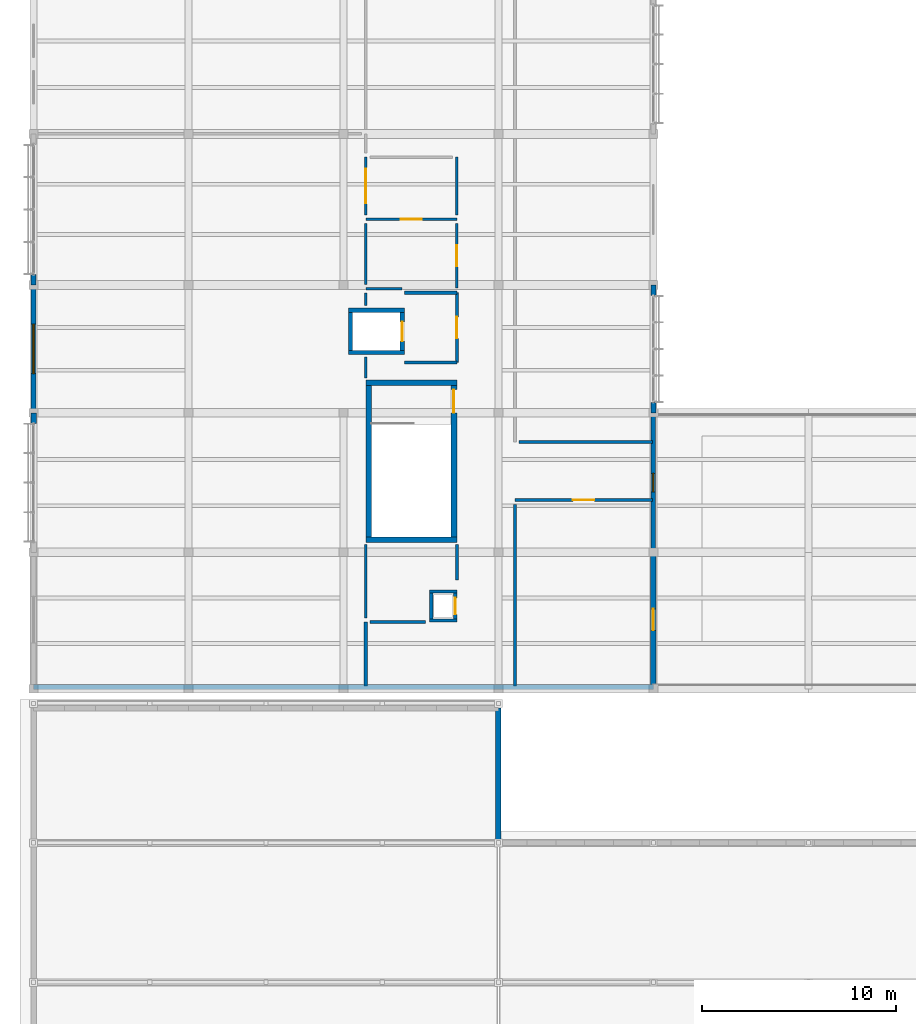
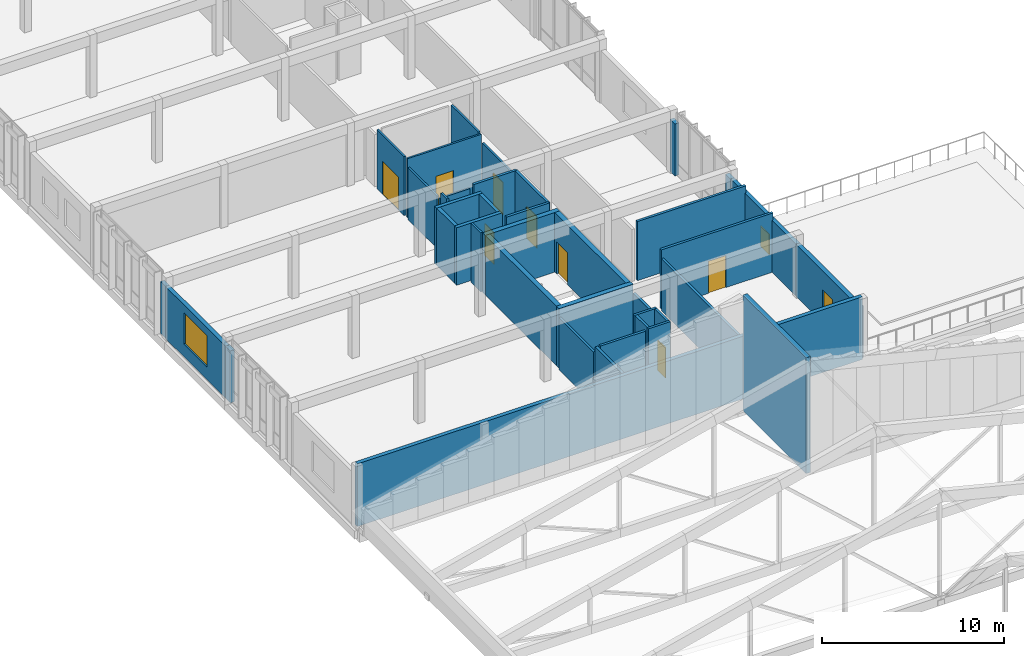
# One storey, part 89 of 107: 39 walls, 9 doors, 2 windows, 11 openings.
"""IFC4 building model written with IfcOpenShell, lengths in metres."""

from ifc_helpers import new_model, si_unit, direction, frame, frame_2d, origin, place, context, subcontext, project, spatial, rectangle, extrude, material, layer, layer_set, type_object, element, fill, save


model = new_model("IFC4")

# Units and contexts
model_context = context("Model", 3, precision=1e-05, world=origin(), true_north=direction((0.0, 1.0)))
body_context = subcontext(model_context, "Body", "Model", "MODEL_VIEW")
ifc_project = project(units=[si_unit("LENGTHUNIT", "METRE"), si_unit("AREAUNIT", "SQUARE_METRE"), si_unit("VOLUMEUNIT", "CUBIC_METRE"), si_unit("PLANEANGLEUNIT", "RADIAN"), si_unit("MASSUNIT", "GRAM", prefix="KILO")], contexts=[model_context])

# Site, building, storey
site_placement = place(None, origin())
site = spatial("IfcSite", under=ifc_project, at=site_placement, CompositionType="ELEMENT")
building_placement = place(site_placement, origin())
building = spatial("IfcBuilding", under=site, at=building_placement, Name="Chiffa Square Polytechnic", CompositionType="ELEMENT")
storey_placement = place(building_placement, frame((0.0, 0.0, 13.800048828125)))
storey = spatial("IfcBuildingStorey", under=building, at=storey_placement, Name="L03", CompositionType="ELEMENT", Elevation=13.800048828125)

# Walls
ifc_material_1 = material(Name="Concrete C40/50", Category="concrete")
ifc_layer_1 = layer(ifc_material_1, 0.300048828125, Name="Concrete C40/50")
ifc_layer_set_1 = layer_set([ifc_layer_1], Name="Concrete C40/50")
wall_type_1 = type_object("IfcWallType", Name="WL-CORE-300", PredefinedType="SHEAR", material=ifc_layer_set_1)
for number, where, z_axis, x_axis, name in (
    (1, (17.14990234375, 44.449951171875, 0.0), (0.0, 0.0, 1.0), (1.0, 0.0, 0.0), "Core or enclosure wall WC-CORE-V6A-L03-SOUTH"),
    (2, (17.14990234375, 52.550048828125, 0.0), (0.0, 0.0, 1.0), (1.0, 0.0, 0.0), "Core or enclosure wall WC-CORE-V6A-L03-NORTH"),
):
    element("IfcWall", number, at=place(storey_placement, frame(where, z_axis=z_axis, x_axis=x_axis)), inside=storey, type_object=wall_type_1, Name=name, PredefinedType="SHEAR", context=body_context, shape_type="SweptSolid", body=[
        extrude(rectangle(XDim=4.7001953125, YDim=0.300048828125, at=frame_2d((2.35009765625, 0.0))), origin(), (0.0, 0.0, 1.0), 4.0),
    ])
wall_1_placement = place(storey_placement, frame((17.300048828125, 44.60009765625, 0.0), z_axis=(0.0, 0.0, 1.0), x_axis=(0.0, 1.0, 0.0)))
element("IfcWall", 3, at=wall_1_placement, inside=storey, type_object=wall_type_1, Name="Core or enclosure wall WC-CORE-V6A-L03-WEST", PredefinedType="SHEAR", context=body_context, shape_type="SweptSolid", body=[
    extrude(rectangle(XDim=7.7998046875, YDim=0.300048828125, at=frame_2d((3.89990234375, 0.0))), origin(), (0.0, 0.0, 1.0), 4.0),
])

# Wall, opening, door
wall_2_placement = place(storey_placement, frame((21.699951171875, 44.60009765625, 0.0), z_axis=(0.0, 0.0, 1.0), x_axis=(0.0, 1.0, 0.0)))
wall_2 = element("IfcWall", 4, at=wall_2_placement, inside=storey, type_object=wall_type_1, Name="Core or enclosure wall WC-CORE-V6A-L03-EAST", PredefinedType="SHEAR", context=body_context, shape_type="SweptSolid", body=[
    extrude(rectangle(XDim=7.7998046875, YDim=0.300048828125, at=frame_2d((3.89990234375, 0.0))), origin(), (0.0, 0.0, 1.0), 4.0),
])
opening_1_placement = place(wall_2_placement, frame((6.39990234375, 0.0, 0.0)))
opening_1 = element("IfcOpeningElement", 5, at=opening_1_placement, cuts=wall_2, Name="Opening DS-L03-050", PredefinedType="OPENING", context=body_context, shape_type="SweptSolid", body=[
    extrude(rectangle(XDim=1.199951171875, YDim=2.14990234375, at=frame_2d((0.60009765625, 1.074951171875))), frame((0.0, 0.16015625, 0.0), z_axis=(0.0, -1.0, 0.0), x_axis=(1.0, 0.0, 0.0)), (0.0, 0.0, 1.0), 0.320068359375),
])
ifc_material_2 = material(Name="Fire-rated painted steel leaf", Category="steel")
door_type_1 = type_object("IfcDoorType", Name="DR-STAIR-1200", OperationType="NOTDEFINED", PredefinedType="DOOR", material=ifc_material_2)
door_1_placement = place(opening_1_placement, origin())
door_1 = element("IfcDoor", 6, at=door_1_placement, inside=storey, type_object=door_type_1, Name="Enclosure door DS-L03-050", OperationType="SINGLE_SWING_RIGHT", OverallHeight=2.14990234375, OverallWidth=1.199951171875, PredefinedType="DOOR", context=body_context, shape_type="SweptSolid", body=[
    extrude(rectangle(XDim=1.199951171875, YDim=2.14990234375, at=frame_2d((0.60009765625, 1.074951171875))), frame((0.0, 0.02490234375, 0.0), z_axis=(0.0, -1.0, 0.0), x_axis=(1.0, 0.0, 0.0)), (0.0, 0.0, 1.0), 0.050048828125),
])
fill(opening_1, door_1)

# Wall, opening, window
ifc_material_3 = material(Name="Precast concrete C40/50", Category="concrete")
ifc_layer_2 = layer(ifc_material_3, 0.239990234375, Name="Precast concrete C40/50")
ifc_layer_set_2 = layer_set([ifc_layer_2], Name="Precast concrete C40/50")
wall_type_2 = type_object("IfcWallType", Name="WL-EXT-PC240", PredefinedType="SOLIDWALL", material=ifc_layer_set_2)
wall_3_placement = place(storey_placement, frame((32.0, 43.800048828125, 0.0), z_axis=(0.0, 0.0, 1.0), x_axis=(0.0, 1.0, 0.0)))
wall_3 = element("IfcWall", 7, at=wall_3_placement, inside=storey, type_object=wall_type_2, Name="Exterior wall WE-V6-L03-0451", PredefinedType="SOLIDWALL", context=body_context, shape_type="SweptSolid", body=[
    extrude(rectangle(XDim=7.199951171875, YDim=0.239990234375, at=frame_2d((3.60009765625, 0.0))), origin(), (0.0, 0.0, 1.0), 3.48486328125),
])
opening_2_placement = place(wall_3_placement, frame((3.125, 0.0, 0.85009765625)))
opening_2 = element("IfcOpeningElement", 8, at=opening_2_placement, cuts=wall_3, Name="Opening W-21", PredefinedType="OPENING", context=body_context, shape_type="SweptSolid", body=[
    extrude(rectangle(XDim=0.949951171875, YDim=1.35009765625, at=frame_2d((0.47509765625, 0.675048828125))), frame((0.0, 0.1298828125, 0.0), z_axis=(0.0, -1.0, 0.0), x_axis=(1.0, 0.0, 0.0)), (0.0, 0.0, 1.0), 0.260009765625),
])
ifc_material_4 = material(Name="Double glazing in thermally broken aluminium frame", Category="aluminium")
window_type_1 = type_object("IfcWindowType", Name="WIN-OFF-0950X1350", PartitioningType="DOUBLE_PANEL_VERTICAL", PredefinedType="WINDOW", material=ifc_material_4)
window_1_placement = place(opening_2_placement, origin())
window_1 = element("IfcWindow", 9, at=window_1_placement, inside=storey, type_object=window_type_1, Name="Facade window WN-L03-0301", OverallHeight=1.35009765625, OverallWidth=0.949951171875, PartitioningType="DOUBLE_PANEL_VERTICAL", PredefinedType="WINDOW", context=body_context, shape_type="SweptSolid", body=[
    extrude(rectangle(XDim=0.949951171875, YDim=1.35009765625, at=frame_2d((0.47509765625, 0.675048828125))), frame((0.0, 0.030029296875, 0.0), z_axis=(0.0, -1.0, 0.0), x_axis=(1.0, 0.0, 0.0)), (0.0, 0.0, 1.0), 0.06005859375),
])
fill(opening_2, window_1)

# Walls
wall_4_placement = place(storey_placement, frame((0.0, 58.139892578125, 0.0), z_axis=(0.0, 0.0, 1.0), x_axis=(0.0, -1.0, 0.0)))
element("IfcWall", 10, at=wall_4_placement, inside=storey, type_object=wall_type_2, Name="Facade column pier V6-L03-0463R", PredefinedType="SOLIDWALL", context=body_context, shape_type="SweptSolid", body=[
    extrude(rectangle(XDim=0.539794921875, YDim=0.239990234375, at=frame_2d((0.27001953125, 0.0))), origin(), (0.0, 0.0, 1.0), 3.48486328125),
])
ifc_layer_3 = layer(ifc_material_3, 0.260009765625, Name="Precast concrete C40/50")
ifc_layer_set_3 = layer_set([ifc_layer_3], Name="Precast concrete C40/50")
wall_type_3 = type_object("IfcWallType", Name="WL-EXT-PC260", PredefinedType="SOLIDWALL", material=ifc_layer_set_3)
for number, where, z_axis, x_axis, name in (
    (11, (32.0, 51.0, 0.0), (0.0, 0.0, 1.0), (0.0, 1.0, 0.0), "Facade column pier V6-L03-0452L"),
    (12, (32.0, 57.06005859375, 0.0), (0.0, 0.0, 1.0), (0.0, 1.0, 0.0), "Facade column pier V6-L03-0452R"),
):
    element("IfcWall", number, at=place(storey_placement, frame(where, z_axis=z_axis, x_axis=x_axis)), inside=storey, type_object=wall_type_3, Name=name, PredefinedType="SOLIDWALL", context=body_context, shape_type="SweptSolid", body=[
        extrude(rectangle(XDim=0.5400390625, YDim=0.260009765625, at=frame_2d((0.27001953125, 0.0))), origin(), (0.0, 0.0, 1.0), 3.48486328125),
    ])

# Wall, opening, window
wall_5_placement = place(storey_placement, frame((0.0, 57.60009765625, 0.0), z_axis=(0.0, 0.0, 1.0), x_axis=(0.0, -1.0, 0.0)))
wall_5 = element("IfcWall", 13, at=wall_5_placement, inside=storey, type_object=wall_type_3, Name="Exterior wall WE-V6-L03-0464", PredefinedType="SOLIDWALL", context=body_context, shape_type="SweptSolid", body=[
    extrude(rectangle(XDim=6.60009765625, YDim=0.260009765625, at=frame_2d((3.300048828125, 0.0))), origin(), (0.0, 0.0, 1.0), 3.48486328125),
])
opening_3_placement = place(wall_5_placement, frame((2.02490234375, 0.0, 0.85009765625)))
opening_3 = element("IfcOpeningElement", 14, at=opening_3_placement, cuts=wall_5, Name="Opening W-09", PredefinedType="OPENING", context=body_context, shape_type="SweptSolid", body=[
    extrude(rectangle(XDim=2.550048828125, YDim=2.10009765625, at=frame_2d((1.27490234375, 1.050048828125))), frame((0.0, 0.14013671875, 0.0), z_axis=(0.0, -1.0, 0.0), x_axis=(1.0, 0.0, 0.0)), (0.0, 0.0, 1.0), 0.280029296875),
])
window_type_2 = type_object("IfcWindowType", Name="WIN-STD-2550X2100", PartitioningType="DOUBLE_PANEL_VERTICAL", PredefinedType="WINDOW", material=ifc_material_4)
window_2_placement = place(opening_3_placement, origin())
window_2 = element("IfcWindow", 15, at=window_2_placement, inside=storey, type_object=window_type_2, Name="Facade window WN-L03-0309", OverallHeight=2.10009765625, OverallWidth=2.550048828125, PartitioningType="DOUBLE_PANEL_VERTICAL", PredefinedType="WINDOW", context=body_context, shape_type="SweptSolid", body=[
    extrude(rectangle(XDim=2.550048828125, YDim=2.10009765625, at=frame_2d((1.27490234375, 1.050048828125))), frame((0.0, 0.030029296875, 0.0), z_axis=(0.0, -1.0, 0.0), x_axis=(1.0, 0.0, 0.0)), (0.0, 0.0, 1.0), 0.06005859375),
])
fill(opening_3, window_2)

# Wall, opening, door
ifc_layer_4 = layer(ifc_material_3, 0.280029296875, Name="Precast concrete C40/50")
ifc_layer_set_4 = layer_set([ifc_layer_4], Name="Precast concrete C40/50")
wall_type_4 = type_object("IfcWallType", Name="WL-EXT-PC280", PredefinedType="SOLIDWALL", material=ifc_layer_set_4)
wall_6_placement = place(storey_placement, frame((32.0, 36.85009765625, 0.0), z_axis=(0.0, 0.0, 1.0), x_axis=(0.0, 1.0, 0.0)))
wall_6 = element("IfcWall", 16, at=wall_6_placement, inside=storey, type_object=wall_type_4, Name="Exterior wall WE-V6-L03-0450", PredefinedType="SOLIDWALL", context=body_context, shape_type="SweptSolid", body=[
    extrude(rectangle(XDim=6.949951171875, YDim=0.280029296875, at=frame_2d((3.47509765625, 0.0))), origin(), (0.0, 0.0, 1.0), 3.48486328125),
])
opening_4_placement = place(wall_6_placement, frame((2.925048828125, 0.0, 0.0)))
opening_4 = element("IfcOpeningElement", 17, at=opening_4_placement, cuts=wall_6, Name="Opening DT-L03-074", PredefinedType="OPENING", context=body_context, shape_type="SweptSolid", body=[
    extrude(rectangle(XDim=1.10009765625, YDim=2.199951171875, at=frame_2d((0.550048828125, 1.10009765625))), frame((0.0, 0.14990234375, 0.0), z_axis=(0.0, -1.0, 0.0), x_axis=(1.0, 0.0, 0.0)), (0.0, 0.0, 1.0), 0.300048828125),
])
ifc_material_5 = material(Name="Thermally broken aluminium glazed door", Category="aluminium")
door_type_2 = type_object("IfcDoorType", Name="DR-TERR-SGL-1100", OperationType="NOTDEFINED", PredefinedType="DOOR", material=ifc_material_5)
door_2_placement = place(opening_4_placement, origin())
door_2 = element("IfcDoor", 18, at=door_2_placement, inside=storey, type_object=door_type_2, Name="Exterior door DT-L03-074", OperationType="SINGLE_SWING_RIGHT", OverallHeight=2.199951171875, OverallWidth=1.10009765625, PredefinedType="DOOR", context=body_context, shape_type="SweptSolid", body=[
    extrude(rectangle(XDim=1.10009765625, YDim=2.199951171875, at=frame_2d((0.550048828125, 1.10009765625))), frame((0.0, 0.02490234375, 0.0), z_axis=(0.0, -1.0, 0.0), x_axis=(1.0, 0.0, 0.0)), (0.0, 0.0, 1.0), 0.050048828125),
])
fill(opening_4, door_2)

# Walls
wall_7_placement = place(storey_placement, frame((0.0, 51.0, 0.0), z_axis=(0.0, 0.0, 1.0), x_axis=(0.0, -1.0, 0.0)))
element("IfcWall", 19, at=wall_7_placement, inside=storey, type_object=wall_type_4, Name="Facade column pier V6-L03-0465L", PredefinedType="SOLIDWALL", context=body_context, shape_type="SweptSolid", body=[
    extrude(rectangle(XDim=0.5400390625, YDim=0.280029296875, at=frame_2d((0.27001953125, 0.0))), origin(), (0.0, 0.0, 1.0), 3.48486328125),
])
wall_8_placement = place(storey_placement, frame((24.0, 28.800048828125, 0.0), z_axis=(0.0, 0.0, 1.0), x_axis=(0.0, 1.0, 0.0)))
element("IfcWall", 20, at=wall_8_placement, inside=storey, type_object=wall_type_4, Name="Lecture pavilion north-east ridge step wall WE-V3-L03-RIDGE-NE", PredefinedType="SOLIDWALL", context=body_context, shape_type="SweptSolid", body=[
    extrude(rectangle(XDim=6.949951171875, YDim=0.280029296875, at=frame_2d((3.47509765625, 0.0))), origin(), (0.0, 0.0, 1.0), 7.763916015625),
])
ifc_material_6 = material(Name="Gypsum board on steel stud", Category="steel")
ifc_layer_5 = layer(ifc_material_6, 0.125, Name="Gypsum board on steel stud")
ifc_layer_set_5 = layer_set([ifc_layer_5], Name="Gypsum board on steel stud")
wall_type_5 = type_object("IfcWallType", Name="WL-PART-125", PredefinedType="PARTITIONING", material=ifc_layer_set_5)
wall_9_placement = place(storey_placement, frame((17.14990234375, 52.7900390625, 0.0), z_axis=(0.0, 0.0, 1.0), x_axis=(0.0, 1.0, 0.0)))
element("IfcWall", 21, at=wall_9_placement, inside=storey, type_object=wall_type_5, Name="Interior partition WP-V6-L03-0575", PredefinedType="PARTITIONING", context=body_context, shape_type="SweptSolid", body=[
    extrude(rectangle(XDim=1.080078125, YDim=0.125, at=frame_2d((0.5400390625, 0.0))), origin(), (0.0, 0.0, 1.0), 3.9599609375),
])
ifc_layer_6 = layer(ifc_material_6, 0.135009765625, Name="Gypsum board on steel stud")
ifc_layer_set_6 = layer_set([ifc_layer_6], Name="Gypsum board on steel stud")
wall_type_6 = type_object("IfcWallType", Name="WL-PART-135", PredefinedType="PARTITIONING", material=ifc_layer_set_6)
wall_10_placement = place(storey_placement, frame((17.14990234375, 56.530029296875, 0.0), z_axis=(0.0, 0.0, 1.0), x_axis=(0.0, 1.0, 0.0)))
element("IfcWall", 22, at=wall_10_placement, inside=storey, type_object=wall_type_6, Name="Interior partition WP-V6-L03-0574", PredefinedType="PARTITIONING", context=body_context, shape_type="SweptSolid", body=[
    extrude(rectangle(XDim=0.64990234375, YDim=0.135009765625, at=frame_2d((0.324951171875, 0.0))), origin(), (0.0, 0.0, 1.0), 3.9599609375),
])
ifc_layer_7 = layer(ifc_material_6, 0.14501953125, Name="Gypsum board on steel stud")
ifc_layer_set_7 = layer_set([ifc_layer_7], Name="Gypsum board on steel stud")
wall_type_7 = type_object("IfcWallType", Name="WL-PART-145", PredefinedType="PARTITIONING", material=ifc_layer_set_7)
wall_11_placement = place(storey_placement, frame((17.14990234375, 40.419921875, 0.0), z_axis=(0.0, 0.0, 1.0), x_axis=(0.0, 1.0, 0.0)))
element("IfcWall", 23, at=wall_11_placement, inside=storey, type_object=wall_type_7, Name="Interior partition WP-V6-L03-0576", PredefinedType="PARTITIONING", context=body_context, shape_type="SweptSolid", body=[
    extrude(rectangle(XDim=3.7900390625, YDim=0.14501953125, at=frame_2d((1.89501953125, 0.0))), origin(), (0.0, 0.0, 1.0), 3.48486328125),
])
ifc_material_7 = material(Name="Gypsum board on acoustic steel stud", Category="steel")
ifc_layer_8 = layer(ifc_material_7, 0.159912109375, Name="Gypsum board on acoustic steel stud")
ifc_layer_set_8 = layer_set([ifc_layer_8], Name="Gypsum board on acoustic steel stud")
wall_type_8 = type_object("IfcWallType", Name="WL-PART-EI60-160", PredefinedType="PARTITIONING", material=ifc_layer_set_8)
for number, where, z_axis, x_axis, name in (
    (24, (20.449951171875, 40.280029296875, 0.0), (0.0, 0.0, 1.0), (1.0, 0.0, 0.0), "Core or enclosure wall WP-RSR-V6-S-L03-SOUTH"),
    (25, (20.449951171875, 41.77001953125, 0.0), (0.0, 0.0, 1.0), (1.0, 0.0, 0.0), "Core or enclosure wall WP-RSR-V6-S-L03-NORTH"),
):
    element("IfcWall", number, at=place(storey_placement, frame(where, z_axis=z_axis, x_axis=x_axis)), inside=storey, type_object=wall_type_8, Name=name, PredefinedType="PARTITIONING", context=body_context, shape_type="SweptSolid", body=[
        extrude(rectangle(XDim=1.400146484375, YDim=0.159912109375, at=frame_2d((0.7001953125, 0.0))), origin(), (0.0, 0.0, 1.0), 3.97998046875),
    ])
wall_12_placement = place(storey_placement, frame((20.530029296875, 40.360107421875, 0.0), z_axis=(0.0, 0.0, 1.0), x_axis=(0.0, 1.0, 0.0)))
element("IfcWall", 26, at=wall_12_placement, inside=storey, type_object=wall_type_8, Name="Core or enclosure wall WP-RSR-V6-S-L03-WEST", PredefinedType="PARTITIONING", context=body_context, shape_type="SweptSolid", body=[
    extrude(rectangle(XDim=1.329833984375, YDim=0.159912109375, at=frame_2d((0.6650390625, 0.0))), origin(), (0.0, 0.0, 1.0), 3.97998046875),
])

# Wall, opening, door
wall_13_placement = place(storey_placement, frame((21.77001953125, 40.360107421875, 0.0), z_axis=(0.0, 0.0, 1.0), x_axis=(0.0, 1.0, 0.0)))
wall_13 = element("IfcWall", 27, at=wall_13_placement, inside=storey, type_object=wall_type_8, Name="Core or enclosure wall WP-RSR-V6-S-L03-EAST", PredefinedType="PARTITIONING", context=body_context, shape_type="SweptSolid", body=[
    extrude(rectangle(XDim=1.329833984375, YDim=0.159912109375, at=frame_2d((0.6650390625, 0.0))), origin(), (0.0, 0.0, 1.0), 3.97998046875),
])
opening_5_placement = place(wall_13_placement, frame((0.239990234375, 0.0, 0.0)))
opening_5 = element("IfcOpeningElement", 28, at=opening_5_placement, cuts=wall_13, Name="Opening DI-L03-R21", PredefinedType="OPENING", context=body_context, shape_type="SweptSolid", body=[
    extrude(rectangle(XDim=0.85009765625, YDim=2.02001953125, at=frame_2d((0.425048828125, 1.010009765625))), frame((0.0, 0.08984375, 0.0), z_axis=(0.0, -1.0, 0.0), x_axis=(1.0, 0.0, 0.0)), (0.0, 0.0, 1.0), 0.179931640625),
])
ifc_material_8 = material(Name="Fire-rated steel riser access door", Category="steel")
door_type_3 = type_object("IfcDoorType", Name="DR-RISER-850", OperationType="NOTDEFINED", PredefinedType="DOOR", material=ifc_material_8)
door_3_placement = place(opening_5_placement, origin())
door_3 = element("IfcDoor", 29, at=door_3_placement, inside=storey, type_object=door_type_3, Name="Enclosure door DI-L03-R21", OperationType="SINGLE_SWING_LEFT", OverallHeight=2.02001953125, OverallWidth=0.85009765625, PredefinedType="DOOR", context=body_context, shape_type="SweptSolid", body=[
    extrude(rectangle(XDim=0.85009765625, YDim=2.02001953125, at=frame_2d((0.425048828125, 1.010009765625))), frame((0.0, 0.02490234375, 0.0), z_axis=(0.0, -1.0, 0.0), x_axis=(1.0, 0.0, 0.0)), (0.0, 0.0, 1.0), 0.050048828125),
])
fill(opening_5, door_3)

# Walls
for number, where, z_axis, x_axis, name in (
    (30, (19.14990234375, 53.60009765625, 0.0), (0.0, 0.0, 1.0), (1.0, 0.0, 0.0), "Lift lobby rated enclosure WP-LOB-LP-V6A-L03-SOUTH"),
    (31, (19.14990234375, 57.199951171875, 0.0), (0.0, 0.0, 1.0), (1.0, 0.0, 0.0), "Lift lobby rated enclosure WP-LOB-LP-V6A-L03-NORTH"),
):
    element("IfcWall", number, at=place(storey_placement, frame(where, z_axis=z_axis, x_axis=x_axis)), inside=storey, type_object=wall_type_8, Name=name, PredefinedType="PARTITIONING", context=body_context, shape_type="SweptSolid", body=[
        extrude(rectangle(XDim=2.7001953125, YDim=0.159912109375, at=frame_2d((1.35009765625, 0.0))), origin(), (0.0, 0.0, 1.0), 3.849853515625),
    ])

# Wall, opening, door
wall_14_placement = place(storey_placement, frame((21.85009765625, 53.60009765625, 0.0), z_axis=(0.0, 0.0, 1.0), x_axis=(0.0, 1.0, 0.0)))
wall_14 = element("IfcWall", 32, at=wall_14_placement, inside=storey, type_object=wall_type_8, Name="Lift lobby rated enclosure WP-LOB-LP-V6A-L03-EAST", PredefinedType="PARTITIONING", context=body_context, shape_type="SweptSolid", body=[
    extrude(rectangle(XDim=3.599853515625, YDim=0.159912109375, at=frame_2d((1.7998046875, 0.0))), origin(), (0.0, 0.0, 1.0), 3.849853515625),
])
opening_6_placement = place(wall_14_placement, frame((1.25, 0.0, 0.0)))
opening_6 = element("IfcOpeningElement", 33, at=opening_6_placement, cuts=wall_14, Name="Opening DI-L03-047", PredefinedType="OPENING", context=body_context, shape_type="SweptSolid", body=[
    extrude(rectangle(XDim=1.10009765625, YDim=2.14990234375, at=frame_2d((0.550048828125, 1.074951171875))), frame((0.0, 0.08984375, 0.0), z_axis=(0.0, -1.0, 0.0), x_axis=(1.0, 0.0, 0.0)), (0.0, 0.0, 1.0), 0.179931640625),
])
ifc_material_9 = material(Name="Solid core ash veneer door")
door_type_4 = type_object("IfcDoorType", Name="DR-INT-1100", OperationType="NOTDEFINED", PredefinedType="DOOR", material=ifc_material_9)
door_4_placement = place(opening_6_placement, origin())
door_4 = element("IfcDoor", 34, at=door_4_placement, inside=storey, type_object=door_type_4, Name="Lift lobby fire door DI-L03-047", OperationType="SINGLE_SWING_RIGHT", OverallHeight=2.14990234375, OverallWidth=1.10009765625, PredefinedType="DOOR", context=body_context, shape_type="SweptSolid", body=[
    extrude(rectangle(XDim=1.10009765625, YDim=2.14990234375, at=frame_2d((0.550048828125, 1.074951171875))), frame((0.0, 0.02490234375, 0.0), z_axis=(0.0, -1.0, 0.0), x_axis=(1.0, 0.0, 0.0)), (0.0, 0.0, 1.0), 0.050048828125),
])
fill(opening_6, door_4)

wall_15_placement = place(storey_placement, frame((24.85009765625, 46.5, 0.0), z_axis=(0.0, 0.0, 1.0), x_axis=(1.0, 0.0, 0.0)))
wall_15 = element("IfcWall", 35, at=wall_15_placement, inside=storey, type_object=wall_type_8, Name="Interior partition WP-V6-L03-0530", PredefinedType="PARTITIONING", context=body_context, shape_type="SweptSolid", body=[
    extrude(rectangle(XDim=7.094970703125, YDim=0.159912109375, at=frame_2d((3.54736328125, 0.0))), origin(), (0.0, 0.0, 1.0), 3.9599609375),
])
opening_7_placement = place(wall_15_placement, frame((2.9970703125, 0.0, 0.0)))
opening_7 = element("IfcOpeningElement", 36, at=opening_7_placement, cuts=wall_15, Name="Opening DI-L03-198", PredefinedType="OPENING", context=body_context, shape_type="SweptSolid", body=[
    extrude(rectangle(XDim=1.10009765625, YDim=2.14990234375, at=frame_2d((0.550048828125, 1.074951171875))), frame((0.0, 0.08984375, 0.0), z_axis=(0.0, -1.0, 0.0), x_axis=(1.0, 0.0, 0.0)), (0.0, 0.0, 1.0), 0.179931640625),
])
door_5_placement = place(opening_7_placement, origin())
door_5 = element("IfcDoor", 37, at=door_5_placement, inside=storey, type_object=door_type_4, Name="Interior room door DI-L03-198", OperationType="SINGLE_SWING_RIGHT", OverallHeight=2.14990234375, OverallWidth=1.10009765625, PredefinedType="DOOR", context=body_context, shape_type="SweptSolid", body=[
    extrude(rectangle(XDim=1.10009765625, YDim=2.14990234375, at=frame_2d((0.550048828125, 1.074951171875))), frame((0.0, 0.02490234375, 0.0), z_axis=(0.0, -1.0, 0.0), x_axis=(1.0, 0.0, 0.0)), (0.0, 0.0, 1.0), 0.050048828125),
])
fill(opening_7, door_5)

# Walls
wall_16_placement = place(storey_placement, frame((24.85009765625, 36.905029296875, 0.0), z_axis=(0.0, 0.0, 1.0), x_axis=(0.0, 1.0, 0.0)))
element("IfcWall", 38, at=wall_16_placement, inside=storey, type_object=wall_type_8, Name="Interior partition WP-V6-L03-0531", PredefinedType="PARTITIONING", context=body_context, shape_type="SweptSolid", body=[
    extrude(rectangle(XDim=9.375, YDim=0.159912109375, at=frame_2d((4.6875, 0.0))), origin(), (0.0, 0.0, 1.0), 3.48486328125),
])
wall_17_placement = place(storey_placement, frame((25.070068359375, 49.5, 0.0), z_axis=(0.0, 0.0, 1.0), x_axis=(1.0, 0.0, 0.0)))
element("IfcWall", 39, at=wall_17_placement, inside=storey, type_object=wall_type_8, Name="Interior partition WP-V6-L03-0561", PredefinedType="PARTITIONING", context=body_context, shape_type="SweptSolid", body=[
    extrude(rectangle(XDim=6.875, YDim=0.159912109375, at=frame_2d((3.4375, 0.0))), origin(), (0.0, 0.0, 1.0), 3.9599609375),
])
wall_18_placement = place(storey_placement, frame((17.14990234375, 36.905029296875, 0.0), z_axis=(0.0, 0.0, 1.0), x_axis=(0.0, 1.0, 0.0)))
element("IfcWall", 40, at=wall_18_placement, inside=storey, type_object=wall_type_8, Name="Interior partition WP-V6-L03-0562", PredefinedType="PARTITIONING", context=body_context, shape_type="SweptSolid", body=[
    extrude(rectangle(XDim=3.294921875, YDim=0.159912109375, at=frame_2d((1.6474609375, 0.0))), origin(), (0.0, 0.0, 1.0), 3.9599609375),
])
wall_19_placement = place(storey_placement, frame((21.85009765625, 42.37109375, 0.0), z_axis=(0.0, 0.0, 1.0), x_axis=(0.0, 1.0, 0.0)))
element("IfcWall", 41, at=wall_19_placement, inside=storey, type_object=wall_type_8, Name="Interior partition WP-V6-L03-0596", PredefinedType="PARTITIONING", context=body_context, shape_type="SweptSolid", body=[
    extrude(rectangle(XDim=1.8388671875, YDim=0.159912109375, at=frame_2d((0.91943359375, 0.0))), origin(), (0.0, 0.0, 1.0), 3.48486328125),
])
wall_20_placement = place(storey_placement, frame((17.3701171875, 40.199951171875, 0.0), z_axis=(0.0, 0.0, 1.0), x_axis=(1.0, 0.0, 0.0)))
element("IfcWall", 42, at=wall_20_placement, inside=storey, type_object=wall_type_8, Name="Interior partition WP-V6-L03-0599", PredefinedType="PARTITIONING", context=body_context, shape_type="SweptSolid", body=[
    extrude(rectangle(XDim=2.85400390625, YDim=0.159912109375, at=frame_2d((1.427001953125, 0.0))), origin(), (0.0, 0.0, 1.0), 3.9599609375),
])

# Wall, opening, door
ifc_material_10 = material(Name="Moisture-resistant board partition")
ifc_layer_9 = layer(ifc_material_10, 0.1201171875, Name="Moisture-resistant board partition")
ifc_layer_set_9 = layer_set([ifc_layer_9], Name="Moisture-resistant board partition")
wall_type_9 = type_object("IfcWallType", Name="WL-PART-WC-120", PredefinedType="PARTITIONING", material=ifc_layer_set_9)
wall_21_placement = place(storey_placement, frame((17.14990234375, 61.0, 0.0), z_axis=(0.0, 0.0, 1.0), x_axis=(1.0, 0.0, 0.0)))
wall_21 = element("IfcWall", 43, at=wall_21_placement, inside=storey, type_object=wall_type_9, Name="Interior partition WP-V6-L03-0518", PredefinedType="PARTITIONING", context=body_context, shape_type="SweptSolid", body=[
    extrude(rectangle(XDim=4.7001953125, YDim=0.1201171875, at=frame_2d((2.35009765625, 0.0))), origin(), (0.0, 0.0, 1.0), 3.9599609375),
])
opening_8_placement = place(wall_21_placement, frame((1.800048828125, 0.0, 0.0)))
opening_8 = element("IfcOpeningElement", 44, at=opening_8_placement, cuts=wall_21, Name="Opening DI-L03-193", PredefinedType="OPENING", context=body_context, shape_type="SweptSolid", body=[
    extrude(rectangle(XDim=1.10009765625, YDim=2.14990234375, at=frame_2d((0.550048828125, 1.074951171875))), frame((0.0, 0.070068359375, 0.0), z_axis=(0.0, -1.0, 0.0), x_axis=(1.0, 0.0, 0.0)), (0.0, 0.0, 1.0), 0.14013671875),
])
door_6_placement = place(opening_8_placement, origin())
door_6 = element("IfcDoor", 45, at=door_6_placement, inside=storey, type_object=door_type_4, Name="Interior room door DI-L03-193", OperationType="SINGLE_SWING_RIGHT", OverallHeight=2.14990234375, OverallWidth=1.10009765625, PredefinedType="DOOR", context=body_context, shape_type="SweptSolid", body=[
    extrude(rectangle(XDim=1.10009765625, YDim=2.14990234375, at=frame_2d((0.550048828125, 1.074951171875))), frame((0.0, 0.02490234375, 0.0), z_axis=(0.0, -1.0, 0.0), x_axis=(1.0, 0.0, 0.0)), (0.0, 0.0, 1.0), 0.050048828125),
])
fill(opening_8, door_6)

# Wall
wall_22_placement = place(storey_placement, frame((21.85009765625, 61.219970703125, 0.0), z_axis=(0.0, 0.0, 1.0), x_axis=(0.0, 1.0, 0.0)))
element("IfcWall", 46, at=wall_22_placement, inside=storey, type_object=wall_type_9, Name="Interior partition WP-V6-L03-0519", PredefinedType="PARTITIONING", context=body_context, shape_type="SweptSolid", body=[
    extrude(rectangle(XDim=2.97998046875, YDim=0.1201171875, at=frame_2d((1.489990234375, 0.0))), origin(), (0.0, 0.0, 1.0), 3.9599609375),
])

# Wall, opening, door
wall_23_placement = place(storey_placement, frame((17.14990234375, 61.219970703125, 0.0), z_axis=(0.0, 0.0, 1.0), x_axis=(0.0, 1.0, 0.0)))
wall_23 = element("IfcWall", 47, at=wall_23_placement, inside=storey, type_object=wall_type_9, Name="Interior partition WP-V6-L03-0520", PredefinedType="PARTITIONING", context=body_context, shape_type="SweptSolid", body=[
    extrude(rectangle(XDim=2.97998046875, YDim=0.1201171875, at=frame_2d((1.489990234375, 0.0))), origin(), (0.0, 0.0, 1.0), 3.9599609375),
])
opening_9_placement = place(wall_23_placement, frame((0.590087890625, 0.0, 0.0)))
opening_9 = element("IfcOpeningElement", 48, at=opening_9_placement, cuts=wall_23, Name="Opening DI-L03-194", PredefinedType="OPENING", context=body_context, shape_type="SweptSolid", body=[
    extrude(rectangle(XDim=1.800048828125, YDim=2.199951171875, at=frame_2d((0.89990234375, 1.10009765625))), frame((0.0, 0.070068359375, 0.0), z_axis=(0.0, -1.0, 0.0), x_axis=(1.0, 0.0, 0.0)), (0.0, 0.0, 1.0), 0.14013671875),
])
ifc_material_11 = material(Name="Solid oak fire door pair")
door_type_5 = type_object("IfcDoorType", Name="DR-CORR-DBL-1800", OperationType="DOUBLE_DOOR_SINGLE_SWING", PredefinedType="DOOR", material=ifc_material_11)
door_7_placement = place(opening_9_placement, origin())
door_7 = element("IfcDoor", 49, at=door_7_placement, inside=storey, type_object=door_type_5, Name="Interior room door DI-L03-194", OperationType="DOUBLE_DOOR_SINGLE_SWING", OverallHeight=2.199951171875, OverallWidth=1.800048828125, PredefinedType="DOOR", context=body_context, shape_type="SweptSolid", body=[
    extrude(rectangle(XDim=1.800048828125, YDim=2.199951171875, at=frame_2d((0.89990234375, 1.10009765625))), frame((0.0, 0.02490234375, 0.0), z_axis=(0.0, -1.0, 0.0), x_axis=(1.0, 0.0, 0.0)), (0.0, 0.0, 1.0), 0.050048828125),
])
fill(opening_9, door_7)

wall_24_placement = place(storey_placement, frame((21.85009765625, 57.43994140625, 0.0), z_axis=(0.0, 0.0, 1.0), x_axis=(0.0, 1.0, 0.0)))
wall_24 = element("IfcWall", 50, at=wall_24_placement, inside=storey, type_object=wall_type_9, Name="Interior partition WP-V6-L03-0522", PredefinedType="PARTITIONING", context=body_context, shape_type="SweptSolid", body=[
    extrude(rectangle(XDim=3.340087890625, YDim=0.1201171875, at=frame_2d((1.669921875, 0.0))), origin(), (0.0, 0.0, 1.0), 3.48486328125),
])
opening_10_placement = place(wall_24_placement, frame((1.1201171875, 0.0, 0.0)))
opening_10 = element("IfcOpeningElement", 51, at=opening_10_placement, cuts=wall_24, Name="Opening DI-L03-195", PredefinedType="OPENING", context=body_context, shape_type="SweptSolid", body=[
    extrude(rectangle(XDim=1.10009765625, YDim=2.14990234375, at=frame_2d((0.550048828125, 1.074951171875))), frame((0.0, 0.070068359375, 0.0), z_axis=(0.0, -1.0, 0.0), x_axis=(1.0, 0.0, 0.0)), (0.0, 0.0, 1.0), 0.14013671875),
])
door_8_placement = place(opening_10_placement, origin())
door_8 = element("IfcDoor", 52, at=door_8_placement, inside=storey, type_object=door_type_4, Name="Interior room door DI-L03-195", OperationType="SINGLE_SWING_LEFT", OverallHeight=2.14990234375, OverallWidth=1.10009765625, PredefinedType="DOOR", context=body_context, shape_type="SweptSolid", body=[
    extrude(rectangle(XDim=1.10009765625, YDim=2.14990234375, at=frame_2d((0.550048828125, 1.074951171875))), frame((0.0, 0.02490234375, 0.0), z_axis=(0.0, -1.0, 0.0), x_axis=(1.0, 0.0, 0.0)), (0.0, 0.0, 1.0), 0.050048828125),
])
fill(opening_10, door_8)

# Walls
wall_25_placement = place(storey_placement, frame((17.14990234375, 57.39990234375, 0.0), z_axis=(0.0, 0.0, 1.0), x_axis=(1.0, 0.0, 0.0)))
element("IfcWall", 53, at=wall_25_placement, inside=storey, type_object=wall_type_9, Name="Interior partition WP-V6-L03-0523", PredefinedType="PARTITIONING", context=body_context, shape_type="SweptSolid", body=[
    extrude(rectangle(XDim=1.8671875, YDim=0.1201171875, at=frame_2d((0.93359375, 0.0))), origin(), (0.0, 0.0, 1.0), 3.48486328125),
])
wall_26_placement = place(storey_placement, frame((17.14990234375, 57.6201171875, 0.0), z_axis=(0.0, 0.0, 1.0), x_axis=(0.0, 1.0, 0.0)))
element("IfcWall", 54, at=wall_26_placement, inside=storey, type_object=wall_type_9, Name="Interior partition WP-V6-L03-0524", PredefinedType="PARTITIONING", context=body_context, shape_type="SweptSolid", body=[
    extrude(rectangle(XDim=3.159912109375, YDim=0.1201171875, at=frame_2d((1.580078125, 0.0))), origin(), (0.0, 0.0, 1.0), 3.48486328125),
])
ifc_material_12 = material(Name="Concrete C35/45", Category="concrete")
ifc_layer_10 = layer(ifc_material_12, 0.219970703125, Name="Concrete C35/45")
ifc_layer_set_10 = layer_set([ifc_layer_10], Name="Concrete C35/45")
wall_type_10 = type_object("IfcWallType", Name="WL-SHAFT-220", PredefinedType="SHEAR", material=ifc_layer_set_10)
for number, where, z_axis, x_axis, name in (
    (55, (16.25, 54.110107421875, 0.0), (0.0, 0.0, 1.0), (1.0, 0.0, 0.0), "Core or enclosure wall WS-LP-V6A-L03-SOUTH"),
    (56, (16.25, 56.2900390625, 0.0), (0.0, 0.0, 1.0), (1.0, 0.0, 0.0), "Core or enclosure wall WS-LP-V6A-L03-NORTH"),
):
    element("IfcWall", number, at=place(storey_placement, frame(where, z_axis=z_axis, x_axis=x_axis)), inside=storey, type_object=wall_type_10, Name=name, PredefinedType="SHEAR", context=body_context, shape_type="SweptSolid", body=[
        extrude(rectangle(XDim=2.89990234375, YDim=0.219970703125, at=frame_2d((1.449951171875, 0.0))), origin(), (0.0, 0.0, 1.0), 3.849853515625),
    ])
wall_27_placement = place(storey_placement, frame((16.360107421875, 54.219970703125, 0.0), z_axis=(0.0, 0.0, 1.0), x_axis=(0.0, 1.0, 0.0)))
element("IfcWall", 57, at=wall_27_placement, inside=storey, type_object=wall_type_10, Name="Core or enclosure wall WS-LP-V6A-L03-WEST", PredefinedType="SHEAR", context=body_context, shape_type="SweptSolid", body=[
    extrude(rectangle(XDim=1.9599609375, YDim=0.219970703125, at=frame_2d((0.97998046875, 0.0))), origin(), (0.0, 0.0, 1.0), 3.849853515625),
])

# Wall, opening, door
wall_28_placement = place(storey_placement, frame((19.0400390625, 54.219970703125, 0.0), z_axis=(0.0, 0.0, 1.0), x_axis=(0.0, 1.0, 0.0)))
wall_28 = element("IfcWall", 58, at=wall_28_placement, inside=storey, type_object=wall_type_10, Name="Core or enclosure wall WS-LP-V6A-L03-EAST", PredefinedType="SHEAR", context=body_context, shape_type="SweptSolid", body=[
    extrude(rectangle(XDim=1.9599609375, YDim=0.219970703125, at=frame_2d((0.97998046875, 0.0))), origin(), (0.0, 0.0, 1.0), 3.849853515625),
])
opening_11_placement = place(wall_28_placement, frame((0.47998046875, 0.0, 0.0)))
opening_11 = element("IfcOpeningElement", 59, at=opening_11_placement, cuts=wall_28, Name="Opening LD-LP-V6A-L03", PredefinedType="OPENING", context=body_context, shape_type="SweptSolid", body=[
    extrude(rectangle(XDim=1.0, YDim=2.14990234375, at=frame_2d((0.5, 1.074951171875))), frame((0.0, 0.1201171875, 0.0), z_axis=(0.0, -1.0, 0.0), x_axis=(1.0, 0.0, 0.0)), (0.0, 0.0, 1.0), 0.239990234375),
])
ifc_material_13 = material(Name="Brushed stainless steel sliding landing door", Category="steel")
door_type_6 = type_object("IfcDoorType", Name="DR-LIFT-1000", OperationType="SLIDING_TO_RIGHT", PredefinedType="DOOR", material=ifc_material_13)
door_9_placement = place(opening_11_placement, origin())
door_9 = element("IfcDoor", 60, at=door_9_placement, inside=storey, type_object=door_type_6, Name="Enclosure door LD-LP-V6A-L03", OperationType="SLIDING_TO_LEFT", OverallHeight=2.14990234375, OverallWidth=1.0, PredefinedType="DOOR", context=body_context, shape_type="SweptSolid", body=[
    extrude(rectangle(XDim=1.0, YDim=2.14990234375, at=frame_2d((0.5, 1.074951171875))), frame((0.0, 0.02490234375, 0.0), z_axis=(0.0, -1.0, 0.0), x_axis=(1.0, 0.0, 0.0)), (0.0, 0.0, 1.0), 0.050048828125),
])
fill(opening_11, door_9)

# Wall
ifc_layer_11 = layer(ifc_material_12, 0.25, Name="Concrete C35/45")
ifc_layer_set_11 = layer_set([ifc_layer_11], Name="Concrete C35/45")
wall_type_11 = type_object("IfcWallType", Name="WL-SJ-250", PredefinedType="SHEAR", material=ifc_layer_set_11)
wall_29_placement = place(storey_placement, frame((0.0, 36.85009765625, 0.0), z_axis=(0.0, 0.0, 1.0), x_axis=(1.0, 0.0, 0.0)))
element("IfcWall", 61, at=wall_29_placement, inside=storey, type_object=wall_type_11, Name="Seismic-joint fire wall WE-V6-L03-0449", PredefinedType="SHEAR", context=body_context, shape_type="SweptSolid", body=[
    extrude(rectangle(XDim=32.0, YDim=0.25, at=frame_2d((16.0, 0.0))), origin(), (0.0, 0.0, 1.0), 4.199951171875),
])

save(model, "model.ifc")
